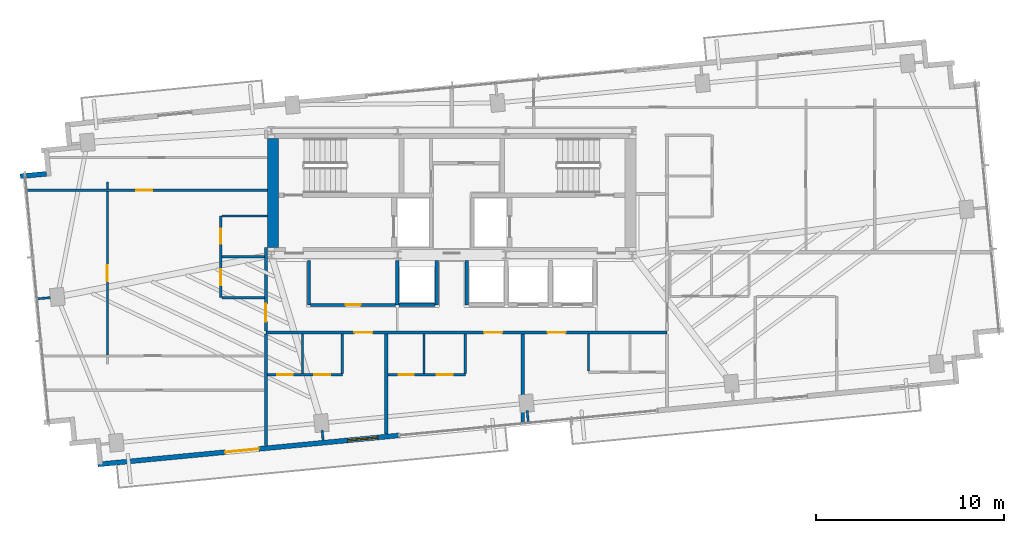
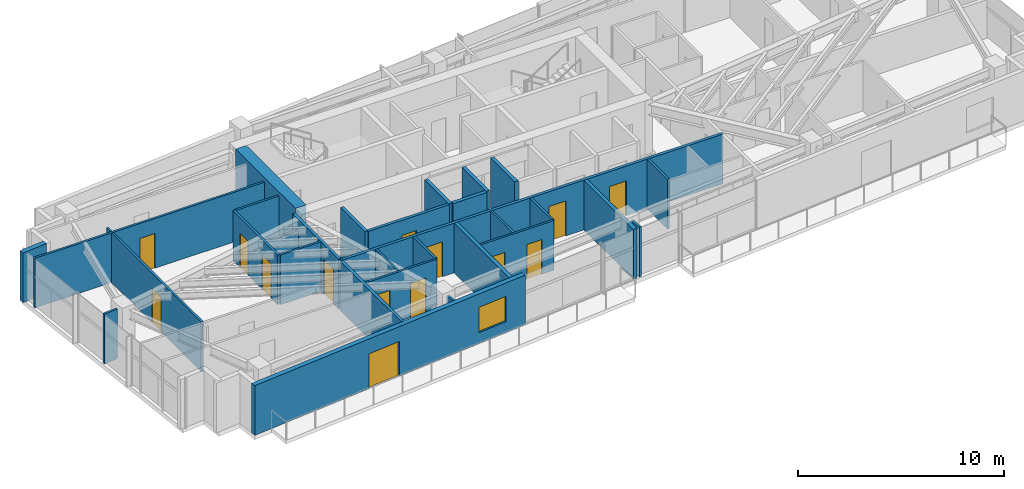
# One storey, part 13 of 18: 31 walls, 14 doors, 1 window, 15 openings.
"""IFC4 building model written with IfcOpenShell, lengths in metres."""

from ifc_helpers import new_model, si_unit, direction, frame, frame_2d, origin, place, context, subcontext, project, spatial, rectangle, extrude, source, transform, mapped, material, layer, layer_set, type_object, type_shapes, element, fill, save


model = new_model("IFC4")

# Units and contexts
model_context = context("Model", 3, precision=1e-05, world=origin(), true_north=direction((0.0, 1.0)))
body_context = subcontext(model_context, "Body", "Model", "MODEL_VIEW")
ifc_project = project(units=[si_unit("LENGTHUNIT", "METRE"), si_unit("AREAUNIT", "SQUARE_METRE"), si_unit("VOLUMEUNIT", "CUBIC_METRE"), si_unit("PLANEANGLEUNIT", "RADIAN"), si_unit("MASSUNIT", "GRAM", prefix="KILO")], contexts=[model_context])

# Site, building, storey
site_placement = place(None, origin())
site = spatial("IfcSite", under=ifc_project, at=site_placement, CompositionType="ELEMENT")
building_placement = place(site_placement, origin())
building = spatial("IfcBuilding", under=site, at=building_placement, Name="Astriad Promenade Condominiums", CompositionType="ELEMENT")
storey_placement = place(building_placement, frame((0.0, 0.0, 185.800048828125)))
storey = spatial("IfcBuildingStorey", under=building, at=storey_placement, Name="L53", CompositionType="ELEMENT", Elevation=185.800048828125)

# Walls
ifc_material_1 = material(Name="Concrete C50/60", Category="concrete")
ifc_layer_1 = layer(ifc_material_1, 0.60009765625)
ifc_layer_set_1 = layer_set([ifc_layer_1], Name="Concrete C50/60")
wall_type_1 = type_object("IfcWallType", Name="CW-SHEAR-600", PredefinedType="SHEAR", material=ifc_layer_set_1)
wall_1_placement = place(storey_placement, frame((26.5, 17.802001953125, 0.0), z_axis=(0.0, 0.0, 1.0), x_axis=(0.0, 1.0, 0.0)))
element("IfcWall", 1, at=wall_1_placement, inside=storey, type_object=wall_type_1, Name="CW-CORE-W-L53", PredefinedType="SHEAR", context=body_context, shape_type="SweptSolid", body=[
    extrude(rectangle(XDim=5.7958984375, YDim=0.60009765625, at=frame_2d((2.89794921875, 0.0))), origin(), (0.0, 0.0, 1.0), 3.199951171875),
])
ifc_material_2 = material(Name="Fire-Rated Gypsum Partition")
ifc_layer_2 = layer(ifc_material_2, 0.159912109375)
ifc_layer_set_2 = layer_set([ifc_layer_2], Name="Fire-Rated Gypsum Partition")
wall_type_2 = type_object("IfcWallType", Name="WALL-CORR-160", PredefinedType="PARTITIONING", material=ifc_layer_set_2)
wall_2_placement = place(storey_placement, frame((28.39990234375, 14.75, 0.0), z_axis=(0.0, 0.0, 1.0), x_axis=(0.0, 1.0, 0.0)))
element("IfcWall", 2, at=wall_2_placement, inside=storey, type_object=wall_type_2, Name="REC-L-W-L53", PredefinedType="PARTITIONING", context=body_context, shape_type="SweptSolid", body=[
    extrude(rectangle(XDim=2.35009765625, YDim=0.159912109375, at=frame_2d((1.175048828125, 0.0))), origin(), (0.0, 0.0, 1.0), 2.93994140625),
])

# Wall, opening, door
wall_3_placement = place(storey_placement, frame((28.48193359375, 14.75, 0.0), z_axis=(0.0, 0.0, 1.0), x_axis=(1.0, 0.0, 0.0)))
wall_3 = element("IfcWall", 3, at=wall_3_placement, inside=storey, type_object=wall_type_2, Name="REC-L-S-L53", PredefinedType="PARTITIONING", context=body_context, shape_type="SweptSolid", body=[
    extrude(rectangle(XDim=4.51611328125, YDim=0.159912109375, at=frame_2d((2.258056640625, 0.0))), origin(), (0.0, 0.0, 1.0), 2.93994140625),
])
opening_1_placement = place(wall_3_placement, frame((1.867919921875, 0.0, 0.0)))
opening_1 = element("IfcOpeningElement", 4, at=opening_1_placement, cuts=wall_3, Name="Opening FD60-SV-080", PredefinedType="OPENING", context=body_context, shape_type="SweptSolid", body=[
    extrude(rectangle(XDim=0.800048828125, YDim=2.050048828125, at=frame_2d((0.39990234375, 1.02490234375))), frame((0.0, 0.08984375, 0.0), z_axis=(0.0, -1.0, 0.0), x_axis=(1.0, 0.0, 0.0)), (0.0, 0.0, 1.0), 0.179931640625),
])
ifc_material_3 = material(Name="Fire-Rated Riser Closet Door")
door_type_1 = type_object("IfcDoorType", Name="FD60-SV-080", OperationType="NOTDEFINED", PredefinedType="DOOR", material=ifc_material_3)
shared_shape_1 = source(origin(), body_context, "Body", "SweptSolid", [
    extrude(rectangle(XDim=0.800048828125, YDim=2.050048828125, at=frame_2d((0.39990234375, 1.02490234375))), frame((0.0, 0.02490234375, 0.0), z_axis=(0.0, -1.0, 0.0), x_axis=(1.0, 0.0, 0.0)), (0.0, 0.0, 1.0), 0.050048828125),
])
type_shapes(door_type_1, [shared_shape_1])
door_1_placement = place(opening_1_placement, origin())
door_1 = element("IfcDoor", 5, at=door_1_placement, inside=storey, type_object=door_type_1, Name="D-RECL-L53", OperationType="SINGLE_SWING_RIGHT", OverallHeight=2.050048828125, OverallWidth=0.800048828125, PredefinedType="DOOR", context=body_context, shape_type="MappedRepresentation", body=[
    mapped(shared_shape_1, transform((0.0, 0.0, 0.0), scale=1.0)),
])
fill(opening_1, door_1)

# Wall, openings, doors
wall_4_placement = place(storey_placement, frame((26.1201171875, 13.280029296875, 0.0), z_axis=(0.0, 0.0, 1.0), x_axis=(1.0, 0.0, 0.0)))
wall_4 = element("IfcWall", 6, at=wall_4_placement, inside=storey, type_object=wall_type_2, Name="PT-COR-S-L53", PredefinedType="PARTITIONING", context=body_context, shape_type="SweptSolid", body=[
    extrude(rectangle(XDim=21.329833984375, YDim=0.159912109375, at=frame_2d((10.6650390625, 0.0))), origin(), (0.0, 0.0, 1.0), 2.93994140625),
])
opening_2_placement = place(wall_4_placement, frame((4.7041015625, 0.0, 0.0)))
opening_2 = element("IfcOpeningElement", 7, at=opening_2_placement, cuts=wall_4, Name="Opening FD60-APT-095", PredefinedType="OPENING", context=body_context, shape_type="SweptSolid", body=[
    extrude(rectangle(XDim=0.949951171875, YDim=2.06005859375, at=frame_2d((0.47509765625, 1.030029296875))), frame((0.0, 0.08984375, 0.0), z_axis=(0.0, -1.0, 0.0), x_axis=(1.0, 0.0, 0.0)), (0.0, 0.0, 1.0), 0.179931640625),
])
opening_3_placement = place(wall_4_placement, frame((11.60009765625, 0.0, 0.0)))
opening_3 = element("IfcOpeningElement", 8, at=opening_3_placement, cuts=wall_4, Name="Opening FD60-APT-095", PredefinedType="OPENING", context=body_context, shape_type="SweptSolid", body=[
    extrude(rectangle(XDim=0.949951171875, YDim=2.06005859375, at=frame_2d((0.47509765625, 1.030029296875))), frame((0.0, 0.08984375, 0.0), z_axis=(0.0, -1.0, 0.0), x_axis=(1.0, 0.0, 0.0)), (0.0, 0.0, 1.0), 0.179931640625),
])
opening_4_placement = place(wall_4_placement, frame((14.97607421875, 0.0, 0.0)))
opening_4 = element("IfcOpeningElement", 9, at=opening_4_placement, cuts=wall_4, Name="Opening FD60-APT-095", PredefinedType="OPENING", context=body_context, shape_type="SweptSolid", body=[
    extrude(rectangle(XDim=0.949951171875, YDim=2.06005859375, at=frame_2d((0.47509765625, 1.030029296875))), frame((0.0, 0.08984375, 0.0), z_axis=(0.0, -1.0, 0.0), x_axis=(1.0, 0.0, 0.0)), (0.0, 0.0, 1.0), 0.179931640625),
])
ifc_material_4 = material(Name="Solid-Core Acoustic Timber Residence Entry Door", Category="wood")
door_type_2 = type_object("IfcDoorType", Name="FD60-APT-095", OperationType="NOTDEFINED", PredefinedType="DOOR", material=ifc_material_4)
shared_shape_2 = source(origin(), body_context, "Body", "SweptSolid", [
    extrude(rectangle(XDim=0.949951171875, YDim=2.06005859375, at=frame_2d((0.47509765625, 1.030029296875))), frame((0.0, 0.02490234375, 0.0), z_axis=(0.0, -1.0, 0.0), x_axis=(1.0, 0.0, 0.0)), (0.0, 0.0, 1.0), 0.050048828125),
])
type_shapes(door_type_2, [shared_shape_2])
door_2_placement = place(opening_2_placement, origin())
door_2 = element("IfcDoor", 10, at=door_2_placement, inside=storey, type_object=door_type_2, Name="D-ENT-L53-S1", OperationType="SINGLE_SWING_LEFT", OverallHeight=2.06005859375, OverallWidth=0.949951171875, PredefinedType="DOOR", context=body_context, shape_type="MappedRepresentation", body=[
    mapped(shared_shape_2, transform((0.0, 0.0, 0.0), scale=1.0)),
])
fill(opening_2, door_2)
door_3_placement = place(opening_3_placement, origin())
door_3 = element("IfcDoor", 11, at=door_3_placement, inside=storey, type_object=door_type_2, Name="D-ENT-L53-S2", OperationType="SINGLE_SWING_RIGHT", OverallHeight=2.06005859375, OverallWidth=0.949951171875, PredefinedType="DOOR", context=body_context, shape_type="MappedRepresentation", body=[
    mapped(shared_shape_2, transform((0.0, 0.0, 0.0), scale=1.0)),
])
fill(opening_3, door_3)
door_4_placement = place(opening_4_placement, origin())
door_4 = element("IfcDoor", 12, at=door_4_placement, inside=storey, type_object=door_type_2, Name="D-ENT-L53-S3", OperationType="SINGLE_SWING_LEFT", OverallHeight=2.06005859375, OverallWidth=0.949951171875, PredefinedType="DOOR", context=body_context, shape_type="MappedRepresentation", body=[
    mapped(shared_shape_2, transform((0.0, 0.0, 0.0), scale=1.0)),
])
fill(opening_4, door_4)

# Wall
wall_5_placement = place(storey_placement, frame((26.1201171875, 7.26123046875, 0.0), z_axis=(0.0, 0.0, 1.0), x_axis=(0.0, 1.0, 0.0)))
element("IfcWall", 13, at=wall_5_placement, inside=storey, type_object=wall_type_2, Name="PT-COR-W-L53", PredefinedType="PARTITIONING", context=body_context, shape_type="SweptSolid", body=[
    extrude(rectangle(XDim=5.936767578125, YDim=0.159912109375, at=frame_2d((2.96826171875, 0.0))), origin(), (0.0, 0.0, 1.0), 2.93994140625),
])

# Wall, opening, door
wall_6_placement = place(storey_placement, frame((26.1201171875, 13.362060546875, 0.0), z_axis=(0.0, 0.0, 1.0), x_axis=(0.0, 1.0, 0.0)))
wall_6 = element("IfcWall", 14, at=wall_6_placement, inside=storey, type_object=wall_type_2, Name="PT-COR-W-L53-S2", PredefinedType="PARTITIONING", context=body_context, shape_type="SweptSolid", body=[
    extrude(rectangle(XDim=4.43994140625, YDim=0.159912109375, at=frame_2d((2.219970703125, 0.0))), origin(), (0.0, 0.0, 1.0), 2.93994140625),
])
opening_5_placement = place(wall_6_placement, frame((0.492919921875, 0.0, 0.0)))
opening_5 = element("IfcOpeningElement", 15, at=opening_5_placement, cuts=wall_6, Name="Opening FD60-APT-095", PredefinedType="OPENING", context=body_context, shape_type="SweptSolid", body=[
    extrude(rectangle(XDim=0.949951171875, YDim=2.06005859375, at=frame_2d((0.47509765625, 1.030029296875))), frame((0.0, 0.08984375, 0.0), z_axis=(0.0, -1.0, 0.0), x_axis=(1.0, 0.0, 0.0)), (0.0, 0.0, 1.0), 0.179931640625),
])
door_5_placement = place(opening_5_placement, origin())
door_5 = element("IfcDoor", 16, at=door_5_placement, inside=storey, type_object=door_type_2, Name="D-ENT-L53-W1", OperationType="SINGLE_SWING_RIGHT", OverallHeight=2.06005859375, OverallWidth=0.949951171875, PredefinedType="DOOR", context=body_context, shape_type="MappedRepresentation", body=[
    mapped(shared_shape_2, transform((0.0, 0.0, 0.0), scale=1.0)),
])
fill(opening_5, door_5)

# Walls
ifc_material_5 = material(Name="Acoustic Double-Stud Gypsum Partition")
ifc_layer_3 = layer(ifc_material_5, 0.199951171875)
ifc_layer_set_3 = layer_set([ifc_layer_3], Name="Acoustic Double-Stud Gypsum Partition")
wall_type_3 = type_object("IfcWallType", Name="WALL-DEMISING-200", PredefinedType="PARTITIONING", material=ifc_layer_set_3)
wall_7_placement = place(storey_placement, frame((32.51904296875, 7.877197265625, 0.0), z_axis=(0.0, 0.0, 1.0), x_axis=(0.0, 1.0, 0.0)))
element("IfcWall", 17, at=wall_7_placement, inside=storey, type_object=wall_type_3, Name="PT-DEM-S1-L53", PredefinedType="PARTITIONING", context=body_context, shape_type="SweptSolid", body=[
    extrude(rectangle(XDim=5.32080078125, YDim=0.199951171875, at=frame_2d((2.660400390625, 0.0))), origin(), (0.0, 0.0, 1.0), 2.93994140625),
])
wall_8_placement = place(storey_placement, frame((39.77099609375, 8.392822265625, 0.0), z_axis=(0.0, 0.0, 1.0), x_axis=(0.0, 1.0, 0.0)))
element("IfcWall", 18, at=wall_8_placement, inside=storey, type_object=wall_type_3, Name="PT-DEM-S2-L53", PredefinedType="PARTITIONING", context=body_context, shape_type="SweptSolid", body=[
    extrude(rectangle(XDim=4.80517578125, YDim=0.199951171875, at=frame_2d((2.402587890625, 0.0))), origin(), (0.0, 0.0, 1.0), 2.93994140625),
])
ifc_material_6 = material(Name="Precast concrete C50/60", Category="concrete")
ifc_layer_4 = layer(ifc_material_6, 0.260009765625)
ifc_layer_set_4 = layer_set([ifc_layer_4], Name="Precast concrete C50/60")
wall_type_4 = type_object("IfcWallType", Name="WALL-EXT-TWR-260", PredefinedType="STANDARD", material=ifc_layer_set_4)
wall_9_placement = place(storey_placement, frame((13.058349609375, 21.583251953125, 0.0), z_axis=(0.0, 0.0, 1.0), x_axis=(0.99540774648, 0.095725744959, 0.0)))
element("IfcWall", 19, at=wall_9_placement, inside=storey, type_object=wall_type_4, Name="W-SER-L53-04", PredefinedType="STANDARD", context=body_context, shape_type="SweptSolid", body=[
    extrude(rectangle(XDim=1.39501953125, YDim=0.260009765625, at=frame_2d((0.697509765625, 0.0))), origin(), (0.0, 0.0, 1.0), 2.93994140625),
])

# Wall, openings, door, window
wall_10_placement = place(storey_placement, frame((33.201171875, 7.810302734375, 0.0), z_axis=(0.0, 0.0, 1.0), x_axis=(-0.995397074604, -0.095836652014, 0.0)))
wall_10 = element("IfcWall", 20, at=wall_10_placement, inside=storey, type_object=wall_type_4, Name="W-EXT-L53-S2", PredefinedType="STANDARD", context=body_context, shape_type="SweptSolid", body=[
    extrude(rectangle(XDim=16.10009765625, YDim=0.260009765625, at=frame_2d((8.050048828125, 0.0))), origin(), (0.0, 0.0, 1.0), 2.93994140625),
])
opening_6_placement = place(wall_10_placement, frame((7.489990234375, 0.0, 0.0)))
opening_6 = element("IfcOpeningElement", 21, at=opening_6_placement, cuts=wall_10, Name="Opening BD-1822-SLD", PredefinedType="OPENING", context=body_context, shape_type="SweptSolid", body=[
    extrude(rectangle(XDim=1.800048828125, YDim=2.06005859375, at=frame_2d((0.89990234375, 1.030029296875))), frame((0.0, 0.139892578125, 0.0), z_axis=(0.0, -1.0, 0.0), x_axis=(1.0, 0.0, 0.0)), (0.0, 0.0, 1.0), 0.280029296875),
])
opening_7_placement = place(wall_10_placement, frame((1.14990234375, 0.0, 0.64990234375)))
opening_7 = element("IfcOpeningElement", 22, at=opening_7_placement, cuts=wall_10, Name="Opening WIN-TWR-1620", PredefinedType="OPENING", context=body_context, shape_type="SweptSolid", body=[
    extrude(rectangle(XDim=1.60009765625, YDim=1.5, at=frame_2d((0.800048828125, 0.75))), frame((0.0, 0.139892578125, 0.0), z_axis=(0.0, -1.0, 0.0), x_axis=(1.0, 0.0, 0.0)), (0.0, 0.0, 1.0), 0.280029296875),
])
ifc_material_7 = material(Name="Thermally Broken Aluminium Sliding Balcony Door", Category="aluminium")
door_type_3 = type_object("IfcDoorType", Name="BD-1822-SLD", OperationType="NOTDEFINED", PredefinedType="DOOR", material=ifc_material_7)
shared_shape_3 = source(origin(), body_context, "Body", "SweptSolid", [
    extrude(rectangle(XDim=1.800048828125, YDim=2.06005859375, at=frame_2d((0.89990234375, 1.030029296875))), frame((0.0, 0.02490234375, 0.0), z_axis=(0.0, -1.0, 0.0), x_axis=(1.0, 0.0, 0.0)), (0.0, 0.0, 1.0), 0.050048828125),
])
type_shapes(door_type_3, [shared_shape_3])
door_6_placement = place(opening_6_placement, origin())
door_6 = element("IfcDoor", 23, at=door_6_placement, inside=storey, type_object=door_type_3, Name="BD-L53-SW", OperationType="SLIDING_TO_LEFT", OverallHeight=2.06005859375, OverallWidth=1.800048828125, PredefinedType="DOOR", context=body_context, shape_type="MappedRepresentation", body=[
    mapped(shared_shape_3, transform((0.0, 0.0, 0.0), scale=1.0)),
])
fill(opening_6, door_6)
ifc_material_8 = material(Name="Dark Tinted Triple-Glazed Aluminium Window", Category="aluminium")
window_type = type_object("IfcWindowType", Name="WIN-TWR-1620", PartitioningType="SINGLE_PANEL", PredefinedType="WINDOW", material=ifc_material_8)
shared_shape_4 = source(origin(), body_context, "Body", "SweptSolid", [
    extrude(rectangle(XDim=1.60009765625, YDim=1.5, at=frame_2d((0.800048828125, 0.75))), frame((0.0, 0.030029296875, 0.0), z_axis=(0.0, -1.0, 0.0), x_axis=(1.0, 0.0, 0.0)), (0.0, 0.0, 1.0), 0.06005859375),
])
type_shapes(window_type, [shared_shape_4])
window_placement = place(opening_7_placement, origin())
window = element("IfcWindow", 24, at=window_placement, inside=storey, type_object=window_type, Name="WIN-L53-SW", OverallHeight=1.5, OverallWidth=1.60009765625, PartitioningType="SINGLE_PANEL", PredefinedType="WINDOW", context=body_context, shape_type="MappedRepresentation", body=[
    mapped(shared_shape_4, transform((0.0, 0.0, 0.0), scale=1.0)),
])
fill(opening_7, window)

# Wall, openings, doors
ifc_material_9 = material(Name="Acoustic Metal-Stud Gypsum Partition")
ifc_layer_5 = layer(ifc_material_9, 0.1201171875)
ifc_layer_set_5 = layer_set([ifc_layer_5], Name="Acoustic Metal-Stud Gypsum Partition")
wall_type_5 = type_object("IfcWallType", Name="WALL-PART-120", PredefinedType="PARTITIONING", material=ifc_layer_set_5)
wall_11_placement = place(storey_placement, frame((26.201904296875, 11.030029296875, 0.0), z_axis=(0.0, 0.0, 1.0), x_axis=(1.0, 0.0, 0.0)))
wall_11 = element("IfcWall", 25, at=wall_11_placement, inside=storey, type_object=wall_type_5, Name="PT-L53-S1-PS", PredefinedType="PARTITIONING", context=body_context, shape_type="SweptSolid", body=[
    extrude(rectangle(XDim=3.97802734375, YDim=0.1201171875, at=frame_2d((1.989013671875, 0.0))), origin(), (0.0, 0.0, 1.0), 2.93994140625),
])
opening_8_placement = place(wall_11_placement, frame((0.531005859375, 0.0, 0.0)))
opening_8 = element("IfcOpeningElement", 26, at=opening_8_placement, cuts=wall_11, Name="Opening D-WET-080", PredefinedType="OPENING", context=body_context, shape_type="SweptSolid", body=[
    extrude(rectangle(XDim=0.800048828125, YDim=2.02001953125, at=frame_2d((0.39990234375, 1.010009765625))), frame((0.0, 0.070068359375, 0.0), z_axis=(0.0, -1.0, 0.0), x_axis=(1.0, 0.0, 0.0)), (0.0, 0.0, 1.0), 0.14013671875),
])
opening_9_placement = place(wall_11_placement, frame((2.49609375, 0.0, 0.0)))
opening_9 = element("IfcOpeningElement", 27, at=opening_9_placement, cuts=wall_11, Name="Opening D-INT-085", PredefinedType="OPENING", context=body_context, shape_type="SweptSolid", body=[
    extrude(rectangle(XDim=0.85009765625, YDim=2.050048828125, at=frame_2d((0.425048828125, 1.02490234375))), frame((0.0, 0.070068359375, 0.0), z_axis=(0.0, -1.0, 0.0), x_axis=(1.0, 0.0, 0.0)), (0.0, 0.0, 1.0), 0.14013671875),
])
ifc_material_10 = material(Name="Moisture-Resistant Timber Bathroom Door", Category="wood")
door_type_4 = type_object("IfcDoorType", Name="D-WET-080", OperationType="NOTDEFINED", PredefinedType="DOOR", material=ifc_material_10)
shared_shape_5 = source(origin(), body_context, "Body", "SweptSolid", [
    extrude(rectangle(XDim=0.800048828125, YDim=2.02001953125, at=frame_2d((0.39990234375, 1.010009765625))), frame((0.0, 0.02490234375, 0.0), z_axis=(0.0, -1.0, 0.0), x_axis=(1.0, 0.0, 0.0)), (0.0, 0.0, 1.0), 0.050048828125),
])
type_shapes(door_type_4, [shared_shape_5])
door_7_placement = place(opening_8_placement, origin())
door_7 = element("IfcDoor", 28, at=door_7_placement, inside=storey, type_object=door_type_4, Name="D-BTH-L53-S1", OperationType="SINGLE_SWING_RIGHT", OverallHeight=2.02001953125, OverallWidth=0.800048828125, PredefinedType="DOOR", context=body_context, shape_type="MappedRepresentation", body=[
    mapped(shared_shape_5, transform((0.0, 0.0, 0.0), scale=1.0)),
])
fill(opening_8, door_7)
ifc_material_11 = material(Name="Painted Solid-Core Timber Room Door", Category="wood")
door_type_5 = type_object("IfcDoorType", Name="D-INT-085", OperationType="NOTDEFINED", PredefinedType="DOOR", material=ifc_material_11)
shared_shape_6 = source(origin(), body_context, "Body", "SweptSolid", [
    extrude(rectangle(XDim=0.85009765625, YDim=2.050048828125, at=frame_2d((0.425048828125, 1.02490234375))), frame((0.0, 0.02490234375, 0.0), z_axis=(0.0, -1.0, 0.0), x_axis=(1.0, 0.0, 0.0)), (0.0, 0.0, 1.0), 0.050048828125),
])
type_shapes(door_type_5, [shared_shape_6])
door_8_placement = place(opening_9_placement, origin())
door_8 = element("IfcDoor", 29, at=door_8_placement, inside=storey, type_object=door_type_5, Name="D-KIT-L53-S1", OperationType="SINGLE_SWING_LEFT", OverallHeight=2.050048828125, OverallWidth=0.85009765625, PredefinedType="DOOR", context=body_context, shape_type="MappedRepresentation", body=[
    mapped(shared_shape_6, transform((0.0, 0.0, 0.0), scale=1.0)),
])
fill(opening_9, door_8)

# Walls
for number, where, z_axis, x_axis, name in (
    (30, (30.179931640625, 11.092041015625, 0.0), (0.0, 0.0, 1.0), (0.0, 1.0, 0.0), "PT-L53-S1-PK"),
    (31, (28.06591796875, 11.092041015625, 0.0), (0.0, 0.0, 1.0), (0.0, 1.0, 0.0), "PT-L53-S1-PB"),
):
    element("IfcWall", number, at=place(storey_placement, frame(where, z_axis=z_axis, x_axis=x_axis)), inside=storey, type_object=wall_type_5, Name=name, PredefinedType="PARTITIONING", context=body_context, shape_type="SweptSolid", body=[
        extrude(rectangle(XDim=2.10595703125, YDim=0.1201171875, at=frame_2d((1.052978515625, 0.0))), origin(), (0.0, 0.0, 1.0), 2.93994140625),
    ])

# Wall, openings, doors
wall_12_placement = place(storey_placement, frame((32.62109375, 11.030029296875, 0.0), z_axis=(0.0, 0.0, 1.0), x_axis=(1.0, 0.0, 0.0)))
wall_12 = element("IfcWall", 32, at=wall_12_placement, inside=storey, type_object=wall_type_5, Name="PT-L53-S2-PS", PredefinedType="PARTITIONING", context=body_context, shape_type="SweptSolid", body=[
    extrude(rectangle(XDim=4.097900390625, YDim=0.1201171875, at=frame_2d((2.048828125, 0.0))), origin(), (0.0, 0.0, 1.0), 2.93994140625),
])
opening_10_placement = place(wall_12_placement, frame((0.548095703125, 0.0, 0.0)))
opening_10 = element("IfcOpeningElement", 33, at=opening_10_placement, cuts=wall_12, Name="Opening D-WET-080", PredefinedType="OPENING", context=body_context, shape_type="SweptSolid", body=[
    extrude(rectangle(XDim=0.800048828125, YDim=2.02001953125, at=frame_2d((0.39990234375, 1.010009765625))), frame((0.0, 0.070068359375, 0.0), z_axis=(0.0, -1.0, 0.0), x_axis=(1.0, 0.0, 0.0)), (0.0, 0.0, 1.0), 0.14013671875),
])
opening_11_placement = place(wall_12_placement, frame((2.572998046875, 0.0, 0.0)))
opening_11 = element("IfcOpeningElement", 34, at=opening_11_placement, cuts=wall_12, Name="Opening D-INT-085", PredefinedType="OPENING", context=body_context, shape_type="SweptSolid", body=[
    extrude(rectangle(XDim=0.85009765625, YDim=2.050048828125, at=frame_2d((0.425048828125, 1.02490234375))), frame((0.0, 0.070068359375, 0.0), z_axis=(0.0, -1.0, 0.0), x_axis=(1.0, 0.0, 0.0)), (0.0, 0.0, 1.0), 0.14013671875),
])
door_9_placement = place(opening_10_placement, origin())
door_9 = element("IfcDoor", 35, at=door_9_placement, inside=storey, type_object=door_type_4, Name="D-BTH-L53-S2", OperationType="SINGLE_SWING_LEFT", OverallHeight=2.02001953125, OverallWidth=0.800048828125, PredefinedType="DOOR", context=body_context, shape_type="MappedRepresentation", body=[
    mapped(shared_shape_5, transform((0.0, 0.0, 0.0), scale=1.0)),
])
fill(opening_10, door_9)
door_10_placement = place(opening_11_placement, origin())
door_10 = element("IfcDoor", 36, at=door_10_placement, inside=storey, type_object=door_type_5, Name="D-KIT-L53-S2", OperationType="SINGLE_SWING_RIGHT", OverallHeight=2.050048828125, OverallWidth=0.85009765625, PredefinedType="DOOR", context=body_context, shape_type="MappedRepresentation", body=[
    mapped(shared_shape_6, transform((0.0, 0.0, 0.0), scale=1.0)),
])
fill(opening_11, door_10)

# Walls
for number, where, z_axis, x_axis, name in (
    (37, (36.718994140625, 11.092041015625, 0.0), (0.0, 0.0, 1.0), (0.0, 1.0, 0.0), "PT-L53-S2-PK"),
    (38, (34.51904296875, 11.092041015625, 0.0), (0.0, 0.0, 1.0), (0.0, 1.0, 0.0), "PT-L53-S2-PB"),
):
    element("IfcWall", number, at=place(storey_placement, frame(where, z_axis=z_axis, x_axis=x_axis)), inside=storey, type_object=wall_type_5, Name=name, PredefinedType="PARTITIONING", context=body_context, shape_type="SweptSolid", body=[
        extrude(rectangle(XDim=2.10595703125, YDim=0.1201171875, at=frame_2d((1.052978515625, 0.0))), origin(), (0.0, 0.0, 1.0), 2.93994140625),
    ])
wall_13_placement = place(storey_placement, frame((43.27001953125, 11.23388671875, 0.0), z_axis=(0.0, 0.0, 1.0), x_axis=(0.0, 1.0, 0.0)))
element("IfcWall", 39, at=wall_13_placement, inside=storey, type_object=wall_type_5, Name="PT-L53-S3-PK", PredefinedType="PARTITIONING", context=body_context, shape_type="SweptSolid", body=[
    extrude(rectangle(XDim=1.964111328125, YDim=0.1201171875, at=frame_2d((0.98193359375, 0.0))), origin(), (0.0, 0.0, 1.0), 2.93994140625),
])

# Wall, openings, doors
wall_14_placement = place(storey_placement, frame((23.719970703125, 15.1298828125, 0.0), z_axis=(0.0, 0.0, 1.0), x_axis=(0.0, 1.0, 0.0)))
wall_14 = element("IfcWall", 40, at=wall_14_placement, inside=storey, type_object=wall_type_5, Name="PT-L53-W1-PV", PredefinedType="PARTITIONING", context=body_context, shape_type="SweptSolid", body=[
    extrude(rectangle(XDim=4.35009765625, YDim=0.1201171875, at=frame_2d((2.175048828125, 0.0))), origin(), (0.0, 0.0, 1.0), 2.93994140625),
])
opening_12_placement = place(wall_14_placement, frame((0.6630859375, 0.0, 0.0)))
opening_12 = element("IfcOpeningElement", 41, at=opening_12_placement, cuts=wall_14, Name="Opening D-INT-085", PredefinedType="OPENING", context=body_context, shape_type="SweptSolid", body=[
    extrude(rectangle(XDim=0.85009765625, YDim=2.050048828125, at=frame_2d((0.425048828125, 1.02490234375))), frame((0.0, 0.070068359375, 0.0), z_axis=(0.0, -1.0, 0.0), x_axis=(1.0, 0.0, 0.0)), (0.0, 0.0, 1.0), 0.14013671875),
])
opening_13_placement = place(wall_14_placement, frame((2.862060546875, 0.0, 0.0)))
opening_13 = element("IfcOpeningElement", 42, at=opening_13_placement, cuts=wall_14, Name="Opening D-WET-080", PredefinedType="OPENING", context=body_context, shape_type="SweptSolid", body=[
    extrude(rectangle(XDim=0.800048828125, YDim=2.02001953125, at=frame_2d((0.39990234375, 1.010009765625))), frame((0.0, 0.070068359375, 0.0), z_axis=(0.0, -1.0, 0.0), x_axis=(1.0, 0.0, 0.0)), (0.0, 0.0, 1.0), 0.14013671875),
])
door_11_placement = place(opening_13_placement, origin())
door_11 = element("IfcDoor", 43, at=door_11_placement, inside=storey, type_object=door_type_4, Name="D-BTH-L53-W1", OperationType="SINGLE_SWING_RIGHT", OverallHeight=2.02001953125, OverallWidth=0.800048828125, PredefinedType="DOOR", context=body_context, shape_type="MappedRepresentation", body=[
    mapped(shared_shape_5, transform((0.0, 0.0, 0.0), scale=1.0)),
])
fill(opening_13, door_11)
door_12_placement = place(opening_12_placement, origin())
door_12 = element("IfcDoor", 44, at=door_12_placement, inside=storey, type_object=door_type_5, Name="D-KIT-L53-W1", OperationType="SINGLE_SWING_LEFT", OverallHeight=2.050048828125, OverallWidth=0.85009765625, PredefinedType="DOOR", context=body_context, shape_type="MappedRepresentation", body=[
    mapped(shared_shape_6, transform((0.0, 0.0, 0.0), scale=1.0)),
])
fill(opening_12, door_12)

# Walls
wall_15_placement = place(storey_placement, frame((23.781982421875, 17.304931640625, 0.0), z_axis=(0.0, 0.0, 1.0), x_axis=(1.0, 0.0, 0.0)))
element("IfcWall", 45, at=wall_15_placement, inside=storey, type_object=wall_type_5, Name="PT-L53-W1-PM", PredefinedType="PARTITIONING", context=body_context, shape_type="SweptSolid", body=[
    extrude(rectangle(XDim=2.256103515625, YDim=0.1201171875, at=frame_2d((1.1279296875, 0.0))), origin(), (0.0, 0.0, 1.0), 2.28125),
])
wall_16_placement = place(storey_placement, frame((23.781982421875, 15.1298828125, 0.0), z_axis=(0.0, 0.0, 1.0), x_axis=(1.0, 0.0, 0.0)))
element("IfcWall", 46, at=wall_16_placement, inside=storey, type_object=wall_type_5, Name="PT-L53-W1-PS", PredefinedType="PARTITIONING", context=body_context, shape_type="SweptSolid", body=[
    extrude(rectangle(XDim=2.256103515625, YDim=0.1201171875, at=frame_2d((1.1279296875, 0.0))), origin(), (0.0, 0.0, 1.0), 2.93994140625),
])
wall_17_placement = place(storey_placement, frame((23.781982421875, 19.47998046875, 0.0), z_axis=(0.0, 0.0, 1.0), x_axis=(1.0, 0.0, 0.0)))
element("IfcWall", 47, at=wall_17_placement, inside=storey, type_object=wall_type_5, Name="PT-L53-W1-PN", PredefinedType="PARTITIONING", context=body_context, shape_type="SweptSolid", body=[
    extrude(rectangle(XDim=2.416015625, YDim=0.1201171875, at=frame_2d((1.2080078125, 0.0))), origin(), (0.0, 0.0, 1.0), 2.93994140625),
])

# Wall, opening, door
wall_18_placement = place(storey_placement, frame((13.340087890625, 20.846923828125, 0.0), z_axis=(0.0, 0.0, 1.0), x_axis=(1.0, 0.0, 0.0)))
wall_18 = element("IfcWall", 48, at=wall_18_placement, inside=storey, type_object=wall_type_5, Name="PT-L53-W1-WDN4", PredefinedType="PARTITIONING", context=body_context, shape_type="SweptSolid", body=[
    extrude(rectangle(XDim=12.85791015625, YDim=0.1201171875, at=frame_2d((6.428955078125, 0.0))), origin(), (0.0, 0.0, 1.0), 2.93994140625),
])
opening_14_placement = place(wall_18_placement, frame((5.875, 0.0, 0.0)))
opening_14 = element("IfcOpeningElement", 49, at=opening_14_placement, cuts=wall_18, Name="Opening D-INT-085", PredefinedType="OPENING", context=body_context, shape_type="SweptSolid", body=[
    extrude(rectangle(XDim=0.85009765625, YDim=2.050048828125, at=frame_2d((0.425048828125, 1.02490234375))), frame((0.0, 0.070068359375, 0.0), z_axis=(0.0, -1.0, 0.0), x_axis=(1.0, 0.0, 0.0)), (0.0, 0.0, 1.0), 0.14013671875),
])
door_13_placement = place(opening_14_placement, origin())
door_13 = element("IfcDoor", 50, at=door_13_placement, inside=storey, type_object=door_type_5, Name="D-WDN4-L53-W1", OperationType="SINGLE_SWING_RIGHT", OverallHeight=2.050048828125, OverallWidth=0.85009765625, PredefinedType="DOOR", context=body_context, shape_type="MappedRepresentation", body=[
    mapped(shared_shape_6, transform((0.0, 0.0, 0.0), scale=1.0)),
])
fill(opening_14, door_13)

wall_19_placement = place(storey_placement, frame((17.69091796875, 12.095947265625, 0.0), z_axis=(0.0, 0.0, 1.0), x_axis=(0.0, 1.0, 0.0)))
wall_19 = element("IfcWall", 51, at=wall_19_placement, inside=storey, type_object=wall_type_5, Name="PT-L53-W1-WDV5-S2", PredefinedType="PARTITIONING", context=body_context, shape_type="SweptSolid", body=[
    extrude(rectangle(XDim=8.68896484375, YDim=0.1201171875, at=frame_2d((4.344482421875, 0.0))), origin(), (0.0, 0.0, 1.0), 2.93994140625),
])
opening_15_placement = place(wall_19_placement, frame((3.919921875, 0.0, 0.0)))
opening_15 = element("IfcOpeningElement", 52, at=opening_15_placement, cuts=wall_19, Name="Opening D-INT-085", PredefinedType="OPENING", context=body_context, shape_type="SweptSolid", body=[
    extrude(rectangle(XDim=0.85009765625, YDim=2.050048828125, at=frame_2d((0.425048828125, 1.02490234375))), frame((0.0, 0.070068359375, 0.0), z_axis=(0.0, -1.0, 0.0), x_axis=(1.0, 0.0, 0.0)), (0.0, 0.0, 1.0), 0.14013671875),
])
door_14_placement = place(opening_15_placement, origin())
door_14 = element("IfcDoor", 53, at=door_14_placement, inside=storey, type_object=door_type_5, Name="D-WDV5-L53-W1", OperationType="SINGLE_SWING_LEFT", OverallHeight=2.050048828125, OverallWidth=0.85009765625, PredefinedType="DOOR", context=body_context, shape_type="MappedRepresentation", body=[
    mapped(shared_shape_6, transform((0.0, 0.0, 0.0), scale=1.0)),
])
fill(opening_15, door_14)

# Walls
wall_20_placement = place(storey_placement, frame((17.69091796875, 20.908935546875, 0.0), z_axis=(0.0, 0.0, 1.0), x_axis=(0.0, 1.0, 0.0)))
element("IfcWall", 54, at=wall_20_placement, inside=storey, type_object=wall_type_5, Name="PT-L53-W1-WDV5-S3", PredefinedType="PARTITIONING", context=body_context, shape_type="SweptSolid", body=[
    extrude(rectangle(XDim=0.378173828125, YDim=0.1201171875, at=frame_2d((0.18896484375, 0.0))), origin(), (0.0, 0.0, 1.0), 2.93994140625),
])
wall_21_placement = place(storey_placement, frame((29.10546875, 8.089111328125, 0.0), z_axis=(0.0, 0.0, 1.0), x_axis=(0.095772948675, -0.995403205893, 0.0)))
element("IfcWall", 55, at=wall_21_placement, inside=storey, type_object=wall_type_5, Name="PT-PIL-L53-PC02-9", PredefinedType="PARTITIONING", context=body_context, shape_type="SweptSolid", body=[
    extrude(rectangle(XDim=0.537841796875, YDim=0.1201171875, at=frame_2d((0.26904296875, 0.0))), origin(), (0.0, 0.0, 1.0), 2.93994140625),
])
wall_22_placement = place(storey_placement, frame((40.005126953125, 9.138671875, 0.0), z_axis=(0.0, 0.0, 1.0), x_axis=(0.095977354523, -0.995383517755, 0.0)))
element("IfcWall", 56, at=wall_22_placement, inside=storey, type_object=wall_type_5, Name="PT-PIL-L53-PC03-10", PredefinedType="PARTITIONING", context=body_context, shape_type="SweptSolid", body=[
    extrude(rectangle(XDim=0.719970703125, YDim=0.1201171875, at=frame_2d((0.35986328125, 0.0))), origin(), (0.0, 0.0, 1.0), 2.93994140625),
])
wall_23_placement = place(storey_placement, frame((14.653564453125, 15.136474609375, 0.0), z_axis=(0.0, 0.0, 1.0), x_axis=(-0.995408440582, -0.095718527039, 0.0)))
element("IfcWall", 57, at=wall_23_placement, inside=storey, type_object=wall_type_5, Name="PT-PIL-L53-PC11-18", PredefinedType="PARTITIONING", context=body_context, shape_type="SweptSolid", body=[
    extrude(rectangle(XDim=0.760009765625, YDim=0.1201171875, at=frame_2d((0.3798828125, 0.0))), origin(), (0.0, 0.0, 1.0), 2.93994140625),
])
ifc_material_12 = material(Name="Gypsum Shaftliner Assembly")
ifc_layer_6 = layer(ifc_material_12, 0.199951171875)
ifc_layer_set_6 = layer_set([ifc_layer_6], Name="Gypsum Shaftliner Assembly")
wall_type_6 = type_object("IfcWallType", Name="WALL-SHAFT-200", PredefinedType="PARTITIONING", material=ifc_layer_set_6)
for number, where, z_axis, x_axis, name in (
    (58, (33.10009765625, 14.75, 0.0), (0.0, 0.0, 1.0), (0.0, 1.0, 0.0), "REC-L-E-L53"),
    (59, (35.199951171875, 14.75, 0.0), (0.0, 0.0, 1.0), (0.0, 1.0, 0.0), "PL-M1-E-L53"),
):
    element("IfcWall", number, at=place(storey_placement, frame(where, z_axis=z_axis, x_axis=x_axis)), inside=storey, type_object=wall_type_6, Name=name, PredefinedType="PARTITIONING", context=body_context, shape_type="SweptSolid", body=[
        extrude(rectangle(XDim=2.35009765625, YDim=0.199951171875, at=frame_2d((1.175048828125, 0.0))), origin(), (0.0, 0.0, 1.0), 2.93994140625),
    ])
wall_24_placement = place(storey_placement, frame((33.201904296875, 14.75, 0.0), z_axis=(0.0, 0.0, 1.0), x_axis=(1.0, 0.0, 0.0)))
element("IfcWall", 60, at=wall_24_placement, inside=storey, type_object=wall_type_6, Name="PL-M1-F-L53", PredefinedType="PARTITIONING", context=body_context, shape_type="SweptSolid", body=[
    extrude(rectangle(XDim=1.89599609375, YDim=0.199951171875, at=frame_2d((0.947998046875, 0.0))), origin(), (0.0, 0.0, 1.0), 2.93994140625),
])
wall_25_placement = place(storey_placement, frame((36.800048828125, 14.75, 0.0), z_axis=(0.0, 0.0, 1.0), x_axis=(0.0, 1.0, 0.0)))
element("IfcWall", 61, at=wall_25_placement, inside=storey, type_object=wall_type_6, Name="PL-M2-W-L53", PredefinedType="PARTITIONING", context=body_context, shape_type="SweptSolid", body=[
    extrude(rectangle(XDim=2.35009765625, YDim=0.199951171875, at=frame_2d((1.175048828125, 0.0))), origin(), (0.0, 0.0, 1.0), 2.93994140625),
])

save(model, "model.ifc")
